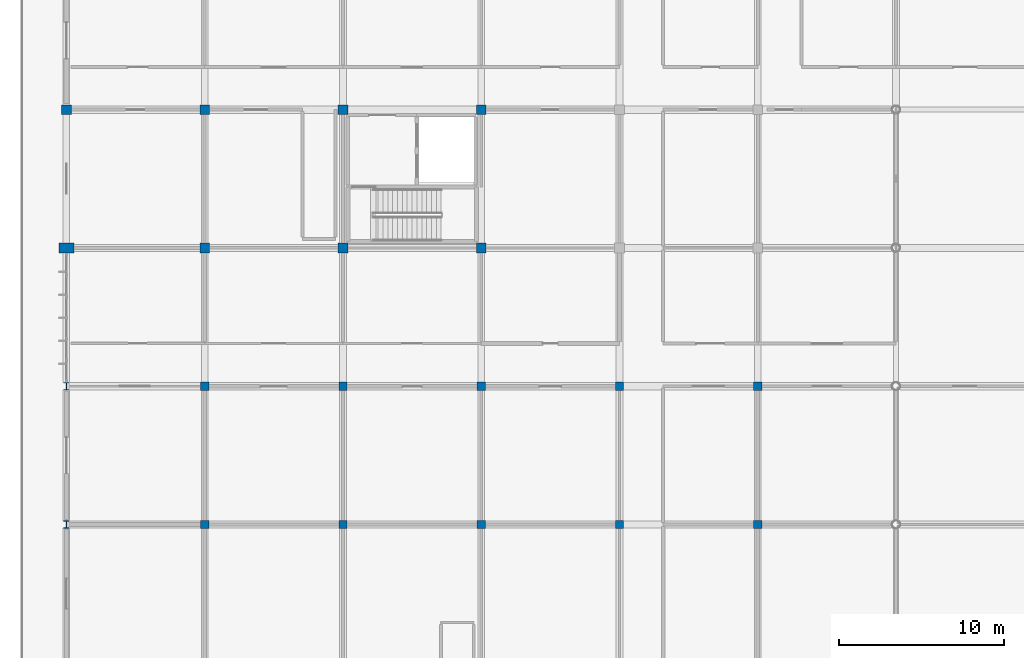
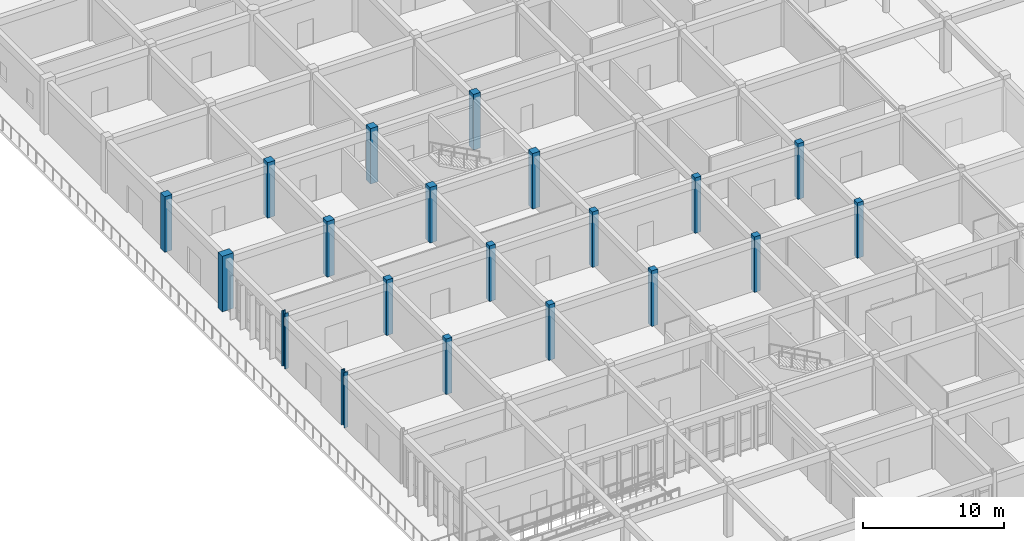
# One storey, part 3 of 138: 20 columns.
"""IFC4 building model written with IfcOpenShell, lengths in metres."""

from ifc_helpers import new_model, si_unit, direction, frame, origin, origin_2d, place, context, subcontext, project, spatial, rectangle, i_section, extrude, material, material_profile, profile_set, type_object, element, save


model = new_model("IFC4")

# Units and contexts
model_context = context("Model", 3, precision=1e-05, world=origin(), true_north=direction((0.0, 1.0)))
body_context = subcontext(model_context, "Body", "Model", "MODEL_VIEW")
ifc_project = project(units=[si_unit("LENGTHUNIT", "METRE"), si_unit("AREAUNIT", "SQUARE_METRE"), si_unit("VOLUMEUNIT", "CUBIC_METRE"), si_unit("PLANEANGLEUNIT", "RADIAN"), si_unit("MASSUNIT", "GRAM", prefix="KILO")], contexts=[model_context])

# Site, building, storey
site_placement = place(None, origin())
site = spatial("IfcSite", under=ifc_project, at=site_placement, CompositionType="ELEMENT")
building_placement = place(site_placement, origin())
building = spatial("IfcBuilding", under=site, at=building_placement, Name="Bramfleet General Hospital", CompositionType="ELEMENT")
storey_placement = place(building_placement, origin())
storey = spatial("IfcBuildingStorey", under=building, at=storey_placement, Name="L00", CompositionType="ELEMENT", Elevation=0.0)

# Columns
ifc_material_1 = material(Name="Steel S355", Category="steel")
ifc_material_profile_1 = material_profile(ifc_material_1, i_section(OverallWidth=0.300048828125, OverallDepth=0.449951171875, WebThickness=0.013916015625, FlangeThickness=0.02587890625, FilletRadius=0.027099609375, at=origin_2d()), Name="HEB 450")
ifc_profile_set_1 = profile_set([ifc_material_profile_1], Name="Steel S355")
column_type_1 = type_object("IfcColumnType", Name="COL-HEB450", PredefinedType="COLUMN", material=ifc_profile_set_1)
for number, where, z_axis, x_axis, name in (
    (1, (0.0, 33.60009765625, 0.0), (0.0, 0.0, 1.0), (1.0, 0.0, 0.0), "Column COL-L00-00-04"),
    (2, (0.0, 42.0, 0.0), (0.0, 0.0, 1.0), (1.0, 0.0, 0.0), "Column COL-L00-00-05"),
):
    element("IfcColumn", number, at=place(storey_placement, frame(where, z_axis=z_axis, x_axis=x_axis)), inside=storey, type_object=column_type_1, Name=name, PredefinedType="COLUMN", context=body_context, shape_type="SweptSolid", body=[
        extrude(i_section(OverallWidth=0.300048828125, OverallDepth=0.449951171875, WebThickness=0.013916015625, FlangeThickness=0.02587890625, FilletRadius=0.027099609375, at=origin_2d()), origin(), (0.0, 0.0, 1.0), 4.800048828125),
    ])
ifc_material_2 = material(Name="Concrete C40/50", Category="concrete")
ifc_material_profile_2 = material_profile(ifc_material_2, rectangle(XDim=0.60009765625, YDim=0.89990234375, at=origin_2d()), Name="RC PIL 900x600")
ifc_profile_set_2 = profile_set([ifc_material_profile_2], Name="Concrete C40/50")
column_type_2 = type_object("IfcColumnType", Name="COL-PIL900", PredefinedType="PILASTER", material=ifc_profile_set_2)
column_placement = place(storey_placement, frame((0.0, 50.39990234375, 0.0), z_axis=(0.0, 0.0, 1.0), x_axis=(0.0, 1.0, 0.0)))
element("IfcColumn", 3, at=column_placement, inside=storey, type_object=column_type_2, Name="Column COL-L00-00-06", PredefinedType="PILASTER", context=body_context, shape_type="SweptSolid", body=[
    extrude(rectangle(XDim=0.60009765625, YDim=0.89990234375, at=origin_2d()), origin(), (0.0, 0.0, 1.0), 4.800048828125),
])
ifc_material_profile_3 = material_profile(ifc_material_2, rectangle(XDim=0.5, YDim=0.5, at=origin_2d()), Name="RC COL 500x500")
ifc_profile_set_3 = profile_set([ifc_material_profile_3], Name="Concrete C40/50")
column_type_3 = type_object("IfcColumnType", Name="COL-RC500", PredefinedType="COLUMN", material=ifc_profile_set_3)
for number, where, z_axis, x_axis, name in (
    (4, (8.39990234375, 33.60009765625, 0.0), (0.0, 0.0, 1.0), (1.0, 0.0, 0.0), "Column COL-L00-01-04"),
    (5, (8.39990234375, 42.0, 0.0), (0.0, 0.0, 1.0), (1.0, 0.0, 0.0), "Column COL-L00-01-05"),
    (6, (16.800048828125, 33.60009765625, 0.0), (0.0, 0.0, 1.0), (1.0, 0.0, 0.0), "Column COL-L00-02-04"),
    (7, (16.800048828125, 42.0, 0.0), (0.0, 0.0, 1.0), (1.0, 0.0, 0.0), "Column COL-L00-02-05"),
    (8, (25.199951171875, 33.60009765625, 0.0), (0.0, 0.0, 1.0), (1.0, 0.0, 0.0), "Column COL-L00-03-04"),
    (9, (25.199951171875, 42.0, 0.0), (0.0, 0.0, 1.0), (1.0, 0.0, 0.0), "Column COL-L00-03-05"),
    (10, (33.60009765625, 33.60009765625, 0.0), (0.0, 0.0, 1.0), (1.0, 0.0, 0.0), "Column COL-L00-04-04"),
    (11, (33.60009765625, 42.0, 0.0), (0.0, 0.0, 1.0), (1.0, 0.0, 0.0), "Column COL-L00-04-05"),
    (12, (42.0, 33.60009765625, 0.0), (0.0, 0.0, 1.0), (1.0, 0.0, 0.0), "Column COL-L00-05-04"),
    (13, (42.0, 42.0, 0.0), (0.0, 0.0, 1.0), (1.0, 0.0, 0.0), "Column COL-L00-05-05"),
):
    element("IfcColumn", number, at=place(storey_placement, frame(where, z_axis=z_axis, x_axis=x_axis)), inside=storey, type_object=column_type_3, Name=name, PredefinedType="COLUMN", context=body_context, shape_type="SweptSolid", body=[
        extrude(rectangle(XDim=0.5, YDim=0.5, at=origin_2d()), origin(), (0.0, 0.0, 1.0), 4.800048828125),
    ])
ifc_material_profile_4 = material_profile(ifc_material_2, rectangle(XDim=0.60009765625, YDim=0.60009765625, at=origin_2d()), Name="RC COL 600x600")
ifc_profile_set_4 = profile_set([ifc_material_profile_4], Name="Concrete C40/50")
column_type_4 = type_object("IfcColumnType", Name="COL-RC600", PredefinedType="COLUMN", material=ifc_profile_set_4)
for number, where, z_axis, x_axis, name in (
    (14, (0.0, 58.800048828125, 0.0), (0.0, 0.0, 1.0), (1.0, 0.0, 0.0), "Column COL-L00-00-07"),
    (15, (8.39990234375, 50.39990234375, 0.0), (0.0, 0.0, 1.0), (1.0, 0.0, 0.0), "Column COL-L00-01-06"),
    (16, (8.39990234375, 58.800048828125, 0.0), (0.0, 0.0, 1.0), (1.0, 0.0, 0.0), "Column COL-L00-01-07"),
    (17, (16.800048828125, 50.39990234375, 0.0), (0.0, 0.0, 1.0), (1.0, 0.0, 0.0), "Column COL-L00-02-06"),
    (18, (16.800048828125, 58.800048828125, 0.0), (0.0, 0.0, 1.0), (1.0, 0.0, 0.0), "Column COL-L00-02-07"),
    (19, (25.199951171875, 50.39990234375, 0.0), (0.0, 0.0, 1.0), (1.0, 0.0, 0.0), "Column COL-L00-03-06"),
    (20, (25.199951171875, 58.800048828125, 0.0), (0.0, 0.0, 1.0), (1.0, 0.0, 0.0), "Column COL-L00-03-07"),
):
    element("IfcColumn", number, at=place(storey_placement, frame(where, z_axis=z_axis, x_axis=x_axis)), inside=storey, type_object=column_type_4, Name=name, PredefinedType="COLUMN", context=body_context, shape_type="SweptSolid", body=[
        extrude(rectangle(XDim=0.60009765625, YDim=0.60009765625, at=origin_2d()), origin(), (0.0, 0.0, 1.0), 4.800048828125),
    ])

save(model, "model.ifc")
